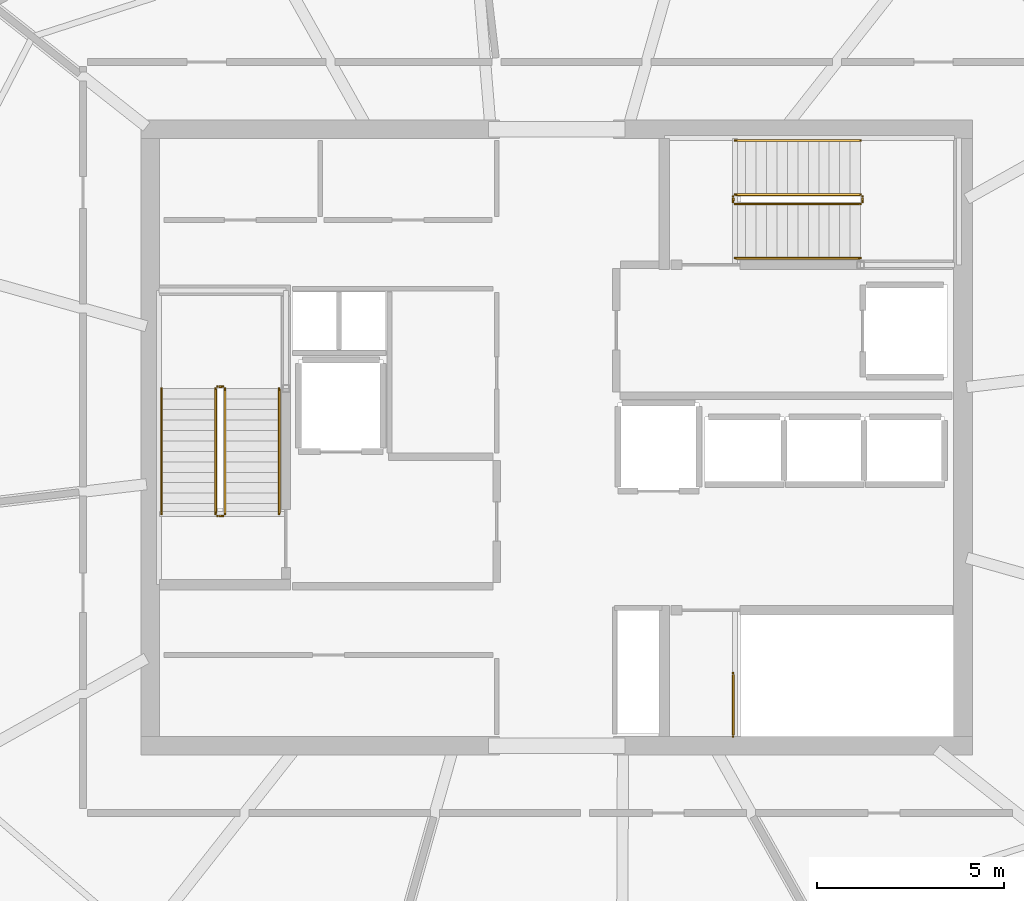
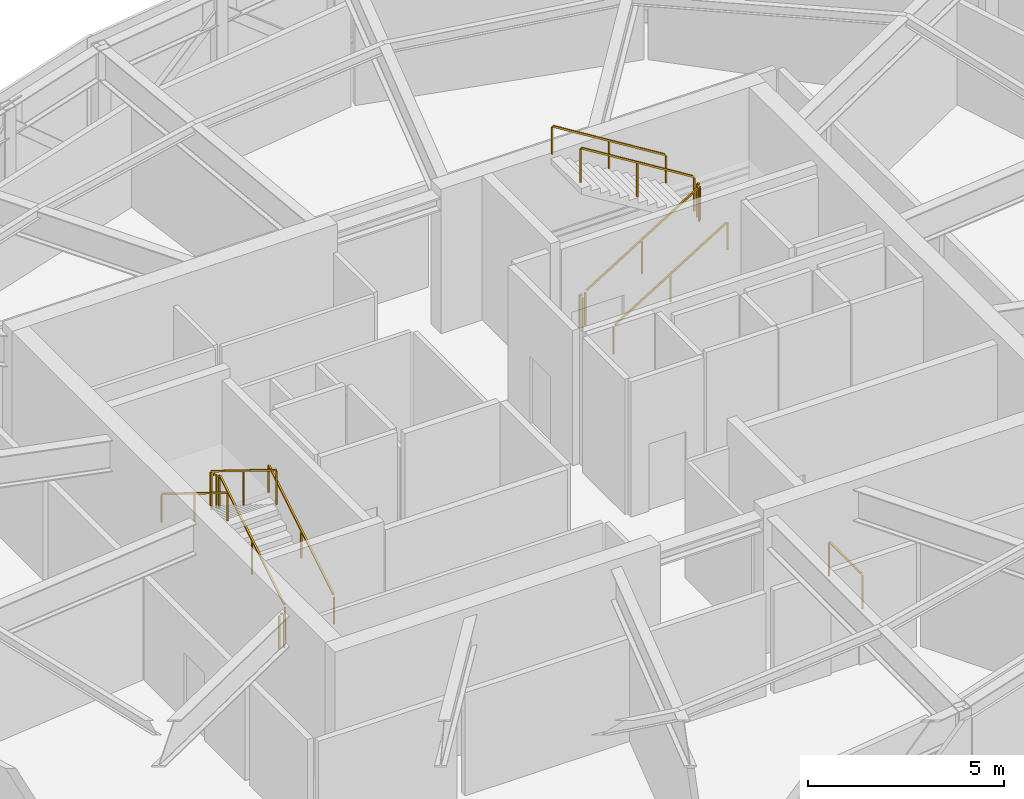
# One storey, part 14 of 14: 13 railings.
"""IFC4 building model written with IfcOpenShell, lengths in metres."""

from ifc_helpers import new_model, si_unit, direction, frame, origin, origin_2d, place, context, subcontext, project, spatial, rectangle, extrude, material, type_object, element, save


model = new_model("IFC4")

# Units and contexts
model_context = context("Model", 3, precision=1e-05, world=origin(), true_north=direction((0.0, 1.0)))
body_context = subcontext(model_context, "Body", "Model", "MODEL_VIEW")
ifc_project = project(units=[si_unit("LENGTHUNIT", "METRE"), si_unit("AREAUNIT", "SQUARE_METRE"), si_unit("VOLUMEUNIT", "CUBIC_METRE"), si_unit("PLANEANGLEUNIT", "RADIAN"), si_unit("MASSUNIT", "GRAM", prefix="KILO")], contexts=[model_context])

# Site, building, storey
site_placement = place(None, origin())
site = spatial("IfcSite", under=ifc_project, at=site_placement, CompositionType="ELEMENT")
building_placement = place(site_placement, origin())
building = spatial("IfcBuilding", under=site, at=building_placement, Name="Kazma Halo Residences", CompositionType="ELEMENT")
storey_placement = place(building_placement, frame((0.0, 0.0, 351.5)))
storey = spatial("IfcBuildingStorey", under=building, at=storey_placement, Name="L88", CompositionType="ELEMENT", Elevation=351.5)

# Railings
ifc_material_1 = material(Name="Painted Steel S355", Category="steel")
railing_type_1 = type_object("IfcRailingType", Name="RLG-STAIR-GRD-1100", PredefinedType="GUARDRAIL", material=ifc_material_1)
railing_1_placement = place(storey_placement, frame((39.550048828125, 39.949951171875, 0.173095703125)))
element("IfcRailing", 1, at=railing_1_placement, inside=storey, type_object=railing_type_1, Name="L88 ST-01 stair guard 1", PredefinedType="GUARDRAIL", context=body_context, shape_type="SweptSolid", body=[
    extrude(rectangle(XDim=0.050048828125, YDim=0.050048828125, at=origin_2d()), frame((0.0, 0.0361328125, 1.097412109375), z_axis=(0.0, 0.850623216509, 0.525775754039), x_axis=(-1.0, 0.0, 0.0)), (0.0, 0.0, 1.0), 3.864990234375),
    extrude(rectangle(XDim=0.0400390625, YDim=0.0400390625, at=origin_2d()), origin(), (0.0, 0.0, 1.0), 1.0380859375),
    extrude(rectangle(XDim=0.0400390625, YDim=0.0400390625, at=origin_2d()), frame((0.0, 1.68017578125, 1.03857421875)), (0.0, 0.0, 1.0), 1.0380859375),
    extrude(rectangle(XDim=0.0400390625, YDim=0.0400390625, at=origin_2d()), frame((0.0, 3.360107421875, 2.076904296875)), (0.0, 0.0, 1.0), 1.0380859375),
])
railing_2_placement = place(storey_placement, frame((39.5, 43.360107421875, 2.25)))
element("IfcRailing", 2, at=railing_2_placement, inside=storey, type_object=railing_type_1, Name="L88 ST-01 stair guard 2", PredefinedType="GUARDRAIL", context=body_context, shape_type="SweptSolid", body=[
    extrude(rectangle(XDim=0.050048828125, YDim=0.050048828125, at=origin_2d()), frame((-0.04248046875, 0.0, 1.0751953125), z_axis=(-1.0, 0.0, 0.0), x_axis=(0.0, -1.0, 0.0)), (0.0, 0.0, 1.0), 0.06494140625),
    extrude(rectangle(XDim=0.0400390625, YDim=0.0400390625, at=origin_2d()), origin(), (0.0, 0.0, 1.0), 1.0380859375),
    extrude(rectangle(XDim=0.0400390625, YDim=0.0400390625, at=origin_2d()), frame((-0.14990234375, 0.0, 0.0)), (0.0, 0.0, 1.0), 1.0380859375),
])
railing_3_placement = place(storey_placement, frame((39.300048828125, 43.31005859375, 2.423095703125)))
element("IfcRailing", 3, at=railing_3_placement, inside=storey, type_object=railing_type_1, Name="L88 ST-01 stair guard 3", PredefinedType="GUARDRAIL", context=body_context, shape_type="SweptSolid", body=[
    extrude(rectangle(XDim=0.050048828125, YDim=0.050048828125, at=origin_2d()), frame((0.0, -0.0361328125, 1.097412109375), z_axis=(0.0, -0.850623216509, 0.525775754039), x_axis=(1.0, 0.0, 0.0)), (0.0, 0.0, 1.0), 3.864990234375),
    extrude(rectangle(XDim=0.0400390625, YDim=0.0400390625, at=origin_2d()), origin(), (0.0, 0.0, 1.0), 1.0380859375),
    extrude(rectangle(XDim=0.0400390625, YDim=0.0400390625, at=origin_2d()), frame((0.0, -1.68017578125, 1.03857421875)), (0.0, 0.0, 1.0), 1.0380859375),
    extrude(rectangle(XDim=0.0400390625, YDim=0.0400390625, at=origin_2d()), frame((0.0, -3.360107421875, 2.076904296875)), (0.0, 0.0, 1.0), 1.0380859375),
])
railing_4_placement = place(storey_placement, frame((39.5, 39.89990234375, 0.0)))
element("IfcRailing", 4, at=railing_4_placement, inside=storey, type_object=railing_type_1, Name="L88 ST-01 stair guard 4", PredefinedType="GUARDRAIL", context=body_context, shape_type="SweptSolid", body=[
    extrude(rectangle(XDim=0.050048828125, YDim=0.050048828125, at=origin_2d()), frame((-0.04248046875, 0.0, 1.0751953125), z_axis=(-1.0, 0.0, 0.0), x_axis=(0.0, -1.0, 0.0)), (0.0, 0.0, 1.0), 0.06494140625),
    extrude(rectangle(XDim=0.0400390625, YDim=0.0400390625, at=origin_2d()), origin(), (0.0, 0.0, 1.0), 1.0380859375),
    extrude(rectangle(XDim=0.0400390625, YDim=0.0400390625, at=origin_2d()), frame((-0.14990234375, 0.0, 0.0)), (0.0, 0.0, 1.0), 1.0380859375),
])
railing_5_placement = place(storey_placement, frame((53.199951171875, 48.25, 0.173095703125)))
element("IfcRailing", 5, at=railing_5_placement, inside=storey, type_object=railing_type_1, Name="L88 ST-02 stair guard 1", PredefinedType="GUARDRAIL", context=body_context, shape_type="SweptSolid", body=[
    extrude(rectangle(XDim=0.050048828125, YDim=0.050048828125, at=origin_2d()), frame((0.0361328125, 0.0, 1.097412109375), z_axis=(0.850623216509, 0.0, 0.525775754039), x_axis=(0.0, 1.0, 0.0)), (0.0, 0.0, 1.0), 3.864990234375),
    extrude(rectangle(XDim=0.0400390625, YDim=0.0400390625, at=origin_2d()), origin(), (0.0, 0.0, 1.0), 1.0380859375),
    extrude(rectangle(XDim=0.0400390625, YDim=0.0400390625, at=origin_2d()), frame((1.68017578125, 0.0, 1.03857421875)), (0.0, 0.0, 1.0), 1.0380859375),
    extrude(rectangle(XDim=0.0400390625, YDim=0.0400390625, at=origin_2d()), frame((3.360107421875, 0.0, 2.076904296875)), (0.0, 0.0, 1.0), 1.0380859375),
])
railing_6_placement = place(storey_placement, frame((56.610107421875, 48.300048828125, 2.25)))
element("IfcRailing", 6, at=railing_6_placement, inside=storey, type_object=railing_type_1, Name="L88 ST-02 stair guard 2", PredefinedType="GUARDRAIL", context=body_context, shape_type="SweptSolid", body=[
    extrude(rectangle(XDim=0.050048828125, YDim=0.050048828125, at=origin_2d()), frame((0.0, 0.04248046875, 1.0751953125), z_axis=(0.0, 1.0, 0.0), x_axis=(-1.0, 0.0, 0.0)), (0.0, 0.0, 1.0), 0.06494140625),
    extrude(rectangle(XDim=0.0400390625, YDim=0.0400390625, at=origin_2d()), origin(), (0.0, 0.0, 1.0), 1.0380859375),
    extrude(rectangle(XDim=0.0400390625, YDim=0.0400390625, at=origin_2d()), frame((0.0, 0.14990234375, 0.0)), (0.0, 0.0, 1.0), 1.0380859375),
])
railing_7_placement = place(storey_placement, frame((56.56005859375, 48.5, 2.423095703125)))
element("IfcRailing", 7, at=railing_7_placement, inside=storey, type_object=railing_type_1, Name="L88 ST-02 stair guard 3", PredefinedType="GUARDRAIL", context=body_context, shape_type="SweptSolid", body=[
    extrude(rectangle(XDim=0.050048828125, YDim=0.050048828125, at=origin_2d()), frame((-0.0361328125, 0.0, 1.097412109375), z_axis=(-0.850623216509, 0.0, 0.525775754039), x_axis=(0.0, -1.0, 0.0)), (0.0, 0.0, 1.0), 3.864990234375),
    extrude(rectangle(XDim=0.0400390625, YDim=0.0400390625, at=origin_2d()), origin(), (0.0, 0.0, 1.0), 1.0380859375),
    extrude(rectangle(XDim=0.0400390625, YDim=0.0400390625, at=origin_2d()), frame((-1.68017578125, 0.0, 1.03857421875)), (0.0, 0.0, 1.0), 1.0380859375),
    extrude(rectangle(XDim=0.0400390625, YDim=0.0400390625, at=origin_2d()), frame((-3.360107421875, 0.0, 2.076904296875)), (0.0, 0.0, 1.0), 1.0380859375),
])
railing_8_placement = place(storey_placement, frame((53.14990234375, 48.300048828125, 0.0)))
element("IfcRailing", 8, at=railing_8_placement, inside=storey, type_object=railing_type_1, Name="L88 ST-02 stair guard 4", PredefinedType="GUARDRAIL", context=body_context, shape_type="SweptSolid", body=[
    extrude(rectangle(XDim=0.050048828125, YDim=0.050048828125, at=origin_2d()), frame((0.0, 0.04248046875, 1.0751953125), z_axis=(0.0, 1.0, 0.0), x_axis=(-1.0, 0.0, 0.0)), (0.0, 0.0, 1.0), 0.06494140625),
    extrude(rectangle(XDim=0.0400390625, YDim=0.0400390625, at=origin_2d()), origin(), (0.0, 0.0, 1.0), 1.0380859375),
    extrude(rectangle(XDim=0.0400390625, YDim=0.0400390625, at=origin_2d()), frame((0.0, 0.14990234375, 0.0)), (0.0, 0.0, 1.0), 1.0380859375),
])
railing_9_placement = place(storey_placement, frame((53.14990234375, 34.0, 0.0)))
element("IfcRailing", 9, at=railing_9_placement, inside=storey, type_object=railing_type_1, Name="L88 ST-03 top well guard 1", PredefinedType="GUARDRAIL", context=body_context, shape_type="SweptSolid", body=[
    extrude(rectangle(XDim=0.050048828125, YDim=0.050048828125, at=origin_2d()), frame((0.0, 0.04248046875, 1.0751953125), z_axis=(0.0, 1.0, 0.0), x_axis=(-1.0, 0.0, 0.0)), (0.0, 0.0, 1.0), 1.61474609375),
    extrude(rectangle(XDim=0.0400390625, YDim=0.0400390625, at=origin_2d()), origin(), (0.0, 0.0, 1.0), 1.0380859375),
    extrude(rectangle(XDim=0.0400390625, YDim=0.0400390625, at=origin_2d()), frame((0.0, 1.699951171875, 0.0)), (0.0, 0.0, 1.0), 1.0380859375),
])
ifc_material_2 = material(Name="Brushed Stainless Steel", Category="steel")
railing_type_2 = type_object("IfcRailingType", Name="RLG-STAIR-HND-900", PredefinedType="HANDRAIL", material=ifc_material_2)
railing_10_placement = place(storey_placement, frame((41.0, 39.949951171875, 0.173095703125)))
element("IfcRailing", 10, at=railing_10_placement, inside=storey, type_object=railing_type_2, Name="L88 ST-01 stair handrail 1", PredefinedType="HANDRAIL", context=body_context, shape_type="SweptSolid", body=[
    extrude(rectangle(XDim=0.050048828125, YDim=0.050048828125, at=origin_2d()), frame((0.0, 0.0361328125, 0.897216796875), z_axis=(0.0, 0.850623216509, 0.525775754039), x_axis=(-1.0, 0.0, 0.0)), (0.0, 0.0, 1.0), 3.864990234375),
    extrude(rectangle(XDim=0.0400390625, YDim=0.0400390625, at=origin_2d()), origin(), (0.0, 0.0, 1.0), 0.837890625),
    extrude(rectangle(XDim=0.0400390625, YDim=0.0400390625, at=origin_2d()), frame((0.0, 1.68017578125, 1.03857421875)), (0.0, 0.0, 1.0), 0.837890625),
    extrude(rectangle(XDim=0.0400390625, YDim=0.0400390625, at=origin_2d()), frame((0.0, 3.360107421875, 2.076904296875)), (0.0, 0.0, 1.0), 0.837890625),
])
railing_11_placement = place(storey_placement, frame((37.85009765625, 43.31005859375, 2.423095703125)))
element("IfcRailing", 11, at=railing_11_placement, inside=storey, type_object=railing_type_2, Name="L88 ST-01 stair handrail 2", PredefinedType="HANDRAIL", context=body_context, shape_type="SweptSolid", body=[
    extrude(rectangle(XDim=0.050048828125, YDim=0.050048828125, at=origin_2d()), frame((0.0, -0.0361328125, 0.897216796875), z_axis=(0.0, -0.850623216509, 0.525775754039), x_axis=(1.0, 0.0, 0.0)), (0.0, 0.0, 1.0), 3.864990234375),
    extrude(rectangle(XDim=0.0400390625, YDim=0.0400390625, at=origin_2d()), origin(), (0.0, 0.0, 1.0), 0.837890625),
    extrude(rectangle(XDim=0.0400390625, YDim=0.0400390625, at=origin_2d()), frame((0.0, -1.68017578125, 1.03857421875)), (0.0, 0.0, 1.0), 0.837890625),
    extrude(rectangle(XDim=0.0400390625, YDim=0.0400390625, at=origin_2d()), frame((0.0, -3.360107421875, 2.076904296875)), (0.0, 0.0, 1.0), 0.837890625),
])
railing_12_placement = place(storey_placement, frame((53.199951171875, 46.800048828125, 0.173095703125)))
element("IfcRailing", 12, at=railing_12_placement, inside=storey, type_object=railing_type_2, Name="L88 ST-02 stair handrail 1", PredefinedType="HANDRAIL", context=body_context, shape_type="SweptSolid", body=[
    extrude(rectangle(XDim=0.050048828125, YDim=0.050048828125, at=origin_2d()), frame((0.0361328125, 0.0, 0.897216796875), z_axis=(0.850623216509, 0.0, 0.525775754039), x_axis=(0.0, 1.0, 0.0)), (0.0, 0.0, 1.0), 3.864990234375),
    extrude(rectangle(XDim=0.0400390625, YDim=0.0400390625, at=origin_2d()), origin(), (0.0, 0.0, 1.0), 0.837890625),
    extrude(rectangle(XDim=0.0400390625, YDim=0.0400390625, at=origin_2d()), frame((1.68017578125, 0.0, 1.03857421875)), (0.0, 0.0, 1.0), 0.837890625),
    extrude(rectangle(XDim=0.0400390625, YDim=0.0400390625, at=origin_2d()), frame((3.360107421875, 0.0, 2.076904296875)), (0.0, 0.0, 1.0), 0.837890625),
])
railing_13_placement = place(storey_placement, frame((56.56005859375, 49.949951171875, 2.423095703125)))
element("IfcRailing", 13, at=railing_13_placement, inside=storey, type_object=railing_type_2, Name="L88 ST-02 stair handrail 2", PredefinedType="HANDRAIL", context=body_context, shape_type="SweptSolid", body=[
    extrude(rectangle(XDim=0.050048828125, YDim=0.050048828125, at=origin_2d()), frame((-0.0361328125, 0.0, 0.897216796875), z_axis=(-0.850623216509, 0.0, 0.525775754039), x_axis=(0.0, -1.0, 0.0)), (0.0, 0.0, 1.0), 3.864990234375),
    extrude(rectangle(XDim=0.0400390625, YDim=0.0400390625, at=origin_2d()), origin(), (0.0, 0.0, 1.0), 0.837890625),
    extrude(rectangle(XDim=0.0400390625, YDim=0.0400390625, at=origin_2d()), frame((-1.68017578125, 0.0, 1.03857421875)), (0.0, 0.0, 1.0), 0.837890625),
    extrude(rectangle(XDim=0.0400390625, YDim=0.0400390625, at=origin_2d()), frame((-3.360107421875, 0.0, 2.076904296875)), (0.0, 0.0, 1.0), 0.837890625),
])

save(model, "model.ifc")
